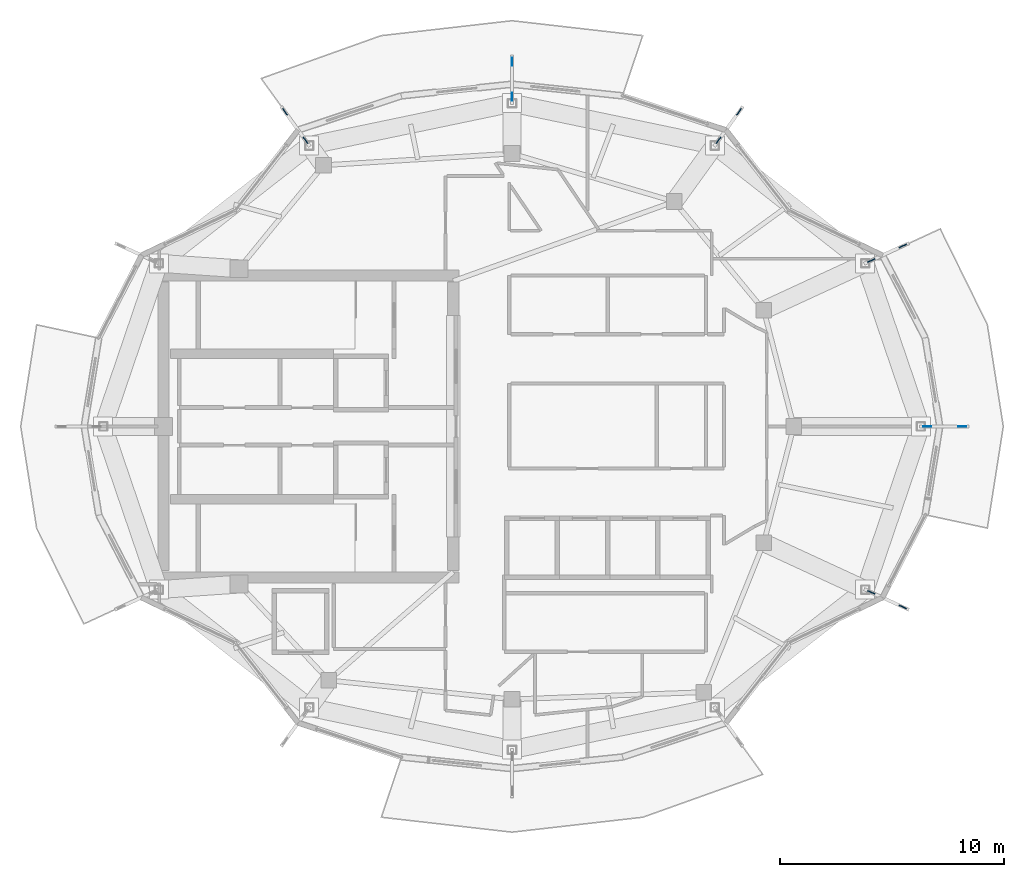
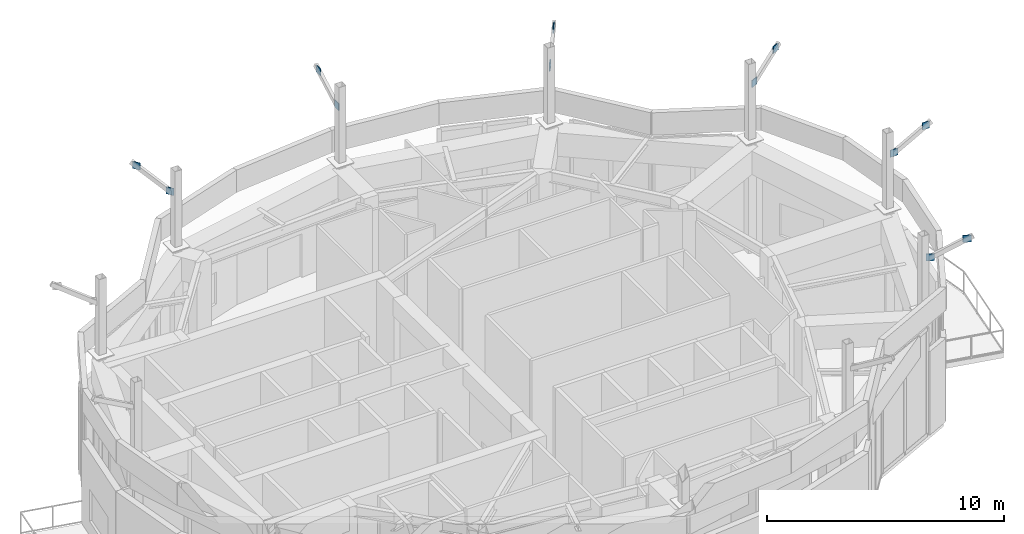
# One storey, part 7 of 13: 12 plates.
"""IFC4 building model written with IfcOpenShell, lengths in metres."""

from ifc_helpers import new_model, si_unit, direction, frame, origin, origin_2d, place, context, subcontext, project, spatial, rectangle, extrude, material, layer, layer_set, type_object, element, save


model = new_model("IFC4")

# Units and contexts
model_context = context("Model", 3, precision=1e-05, world=origin(), true_north=direction((0.0, 1.0)))
body_context = subcontext(model_context, "Body", "Model", "MODEL_VIEW")
ifc_project = project(units=[si_unit("LENGTHUNIT", "METRE"), si_unit("AREAUNIT", "SQUARE_METRE"), si_unit("VOLUMEUNIT", "CUBIC_METRE"), si_unit("PLANEANGLEUNIT", "RADIAN"), si_unit("MASSUNIT", "GRAM", prefix="KILO")], contexts=[model_context])

# Site, building, storey
site_placement = place(None, origin())
site = spatial("IfcSite", under=ifc_project, at=site_placement, CompositionType="ELEMENT")
building_placement = place(site_placement, origin())
building = spatial("IfcBuilding", under=site, at=building_placement, Name="Kolvaren Gate Tower and Convention Centre", CompositionType="ELEMENT")
storey_placement = place(building_placement, frame((0.0, 0.0, 281.60009765625)))
storey = spatial("IfcBuildingStorey", under=building, at=storey_placement, Name="L76", CompositionType="ELEMENT", Elevation=281.60009765625)

# Plates
ifc_material = material(Name="Structural steel plate ASTM A572 Grade 345 MPa", Category="steel")
ifc_layer = layer(ifc_material, 0.035888671875)
ifc_layer_set = layer_set([ifc_layer], Name="Structural steel plate ASTM A572 Grade 345 MPa")
plate_type = type_object("IfcPlateType", Name="STR-PL-END-36", PredefinedType="USERDEFINED", material=ifc_layer_set)
for number, where, z_axis, x_axis, name in (
    (1, (48.694091796875, 27.0, 8.28271484375), (0.0, 0.0, 1.0), (1.0, 0.0, 0.0), "Crown Canopy Strut End Gusset Plate CGP-01-IN"),
    (2, (50.248046875, 27.0, 9.142578125), (0.0, 0.0, 1.0), (1.0, 0.0, 0.0), "Crown Canopy Strut End Gusset Plate CGP-01-OUT"),
    (3, (46.182861328125, 34.4169921875, 8.28271484375), (0.0, 0.0, 1.0), (0.907836768102, 0.419323744237, 0.0), "Crown Canopy Strut End Gusset Plate CGP-02-IN"),
    (4, (47.59375, 35.068603515625, 9.142578125), (0.0, 0.0, 1.0), (0.907836768102, 0.419323744237, 0.0), "Crown Canopy Strut End Gusset Plate CGP-02-OUT"),
    (5, (39.362060546875, 39.79931640625, 8.28271484375), (0.0, 0.0, 1.0), (0.585185559209, 0.810899415028, 0.0), "Crown Canopy Strut End Gusset Plate CGP-03-IN"),
    (6, (40.271484375, 41.0595703125, 9.142578125), (0.0, 0.0, 1.0), (0.585185559209, 0.810899415028, 0.0), "Crown Canopy Strut End Gusset Plate CGP-03-OUT"),
    (7, (30.125, 41.743896484375, 8.28271484375), (0.0, 0.0, 1.0), (0.0, 1.0, 0.0), "Crown Canopy Strut End Gusset Plate CGP-04-IN"),
    (8, (30.125, 43.298095703125, 9.142578125), (0.0, 0.0, 1.0), (0.0, 1.0, 0.0), "Crown Canopy Strut End Gusset Plate CGP-04-OUT"),
    (9, (20.887939453125, 39.79931640625, 8.28271484375), (0.0, 0.0, 1.0), (-0.585185559209, 0.810899415028, 0.0), "Crown Canopy Strut End Gusset Plate CGP-05-IN"),
    (10, (19.978515625, 41.0595703125, 9.142578125), (0.0, 0.0, 1.0), (-0.585185559209, 0.810899415028, 0.0), "Crown Canopy Strut End Gusset Plate CGP-05-OUT"),
    (11, (46.182861328125, 19.5830078125, 8.28271484375), (0.0, 0.0, 1.0), (0.907836768102, -0.419323744237, 0.0), "Crown Canopy Strut End Gusset Plate CGP-12-IN"),
    (12, (47.59375, 18.931396484375, 9.142578125), (0.0, 0.0, 1.0), (0.907836768102, -0.419323744237, 0.0), "Crown Canopy Strut End Gusset Plate CGP-12-OUT"),
):
    element("IfcPlate", number, at=place(storey_placement, frame(where, z_axis=z_axis, x_axis=x_axis)), inside=storey, type_object=plate_type, Name=name, ObjectType="GUSSET PLATE", PredefinedType="USERDEFINED", context=body_context, shape_type="SweptSolid", body=[
        extrude(rectangle(XDim=0.360107421875, YDim=0.035888671875, at=origin_2d()), origin(), (0.0, 0.0, 1.0), 0.360107421875),
    ])

save(model, "model.ifc")
